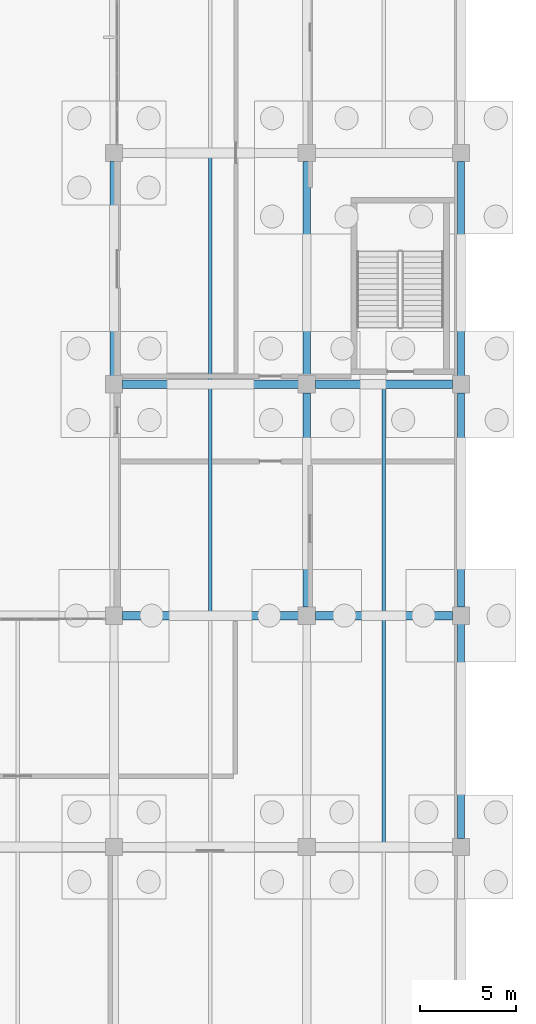
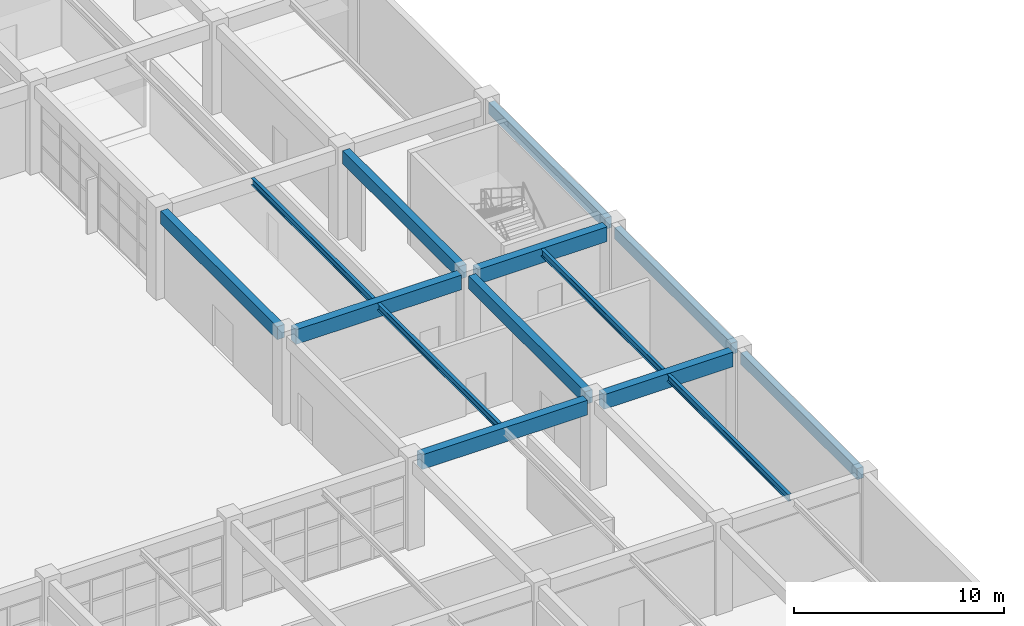
# One storey, part 58 of 99: 14 beams.
"""IFC4 building model written with IfcOpenShell, lengths in metres."""

from ifc_helpers import new_model, si_unit, direction, frame, origin, origin_2d, place, context, subcontext, project, spatial, rectangle, i_section, extrude, material, material_profile, profile_set, type_object, element, save


model = new_model("IFC4")

# Units and contexts
model_context = context("Model", 3, precision=1e-05, world=origin(), true_north=direction((0.0, 1.0)))
body_context = subcontext(model_context, "Body", "Model", "MODEL_VIEW")
ifc_project = project(units=[si_unit("LENGTHUNIT", "METRE"), si_unit("AREAUNIT", "SQUARE_METRE"), si_unit("VOLUMEUNIT", "CUBIC_METRE"), si_unit("PLANEANGLEUNIT", "RADIAN"), si_unit("MASSUNIT", "GRAM", prefix="KILO")], contexts=[model_context])

# Site, building, storey
site_placement = place(None, origin())
site = spatial("IfcSite", under=ifc_project, at=site_placement, CompositionType="ELEMENT")
building_placement = place(site_placement, origin())
building = spatial("IfcBuilding", under=site, at=building_placement, Name="Kivolera Central Railway Station", CompositionType="ELEMENT")
storey_placement = place(building_placement, origin())
storey = spatial("IfcBuildingStorey", under=building, at=storey_placement, Name="L00", CompositionType="ELEMENT", Elevation=0.0)

# Beams
ifc_material_1 = material(Name="Steel S355", Category="steel")
ifc_material_profile_1 = material_profile(ifc_material_1, i_section(OverallWidth=0.179931640625, OverallDepth=0.39990234375, WebThickness=0.008544921875, FlangeThickness=0.013427734375, FilletRadius=0.02099609375, at=origin_2d()), Name="IPE 400")
ifc_profile_set_1 = profile_set([ifc_material_profile_1], Name="Steel S355")
beam_type_1 = type_object("IfcBeamType", Name="BM-JST-IPE400", PredefinedType="JOIST", material=ifc_profile_set_1)
for number, where, z_axis, x_axis, name in (
    (1, (183.0, 78.217041015625, 4.907958984375), (0.0, 1.0, 0.0), (-1.0, 0.0, 0.0), "L00 Floor Joist 18-19/G-H"),
    (2, (183.0, 90.217041015625, 4.907958984375), (0.0, 1.0, 0.0), (-1.0, 0.0, 0.0), "L00 Floor Joist 18-19/H-J"),
    (3, (192.0, 66.217041015625, 4.907958984375), (0.0, 1.0, 0.0), (-1.0, 0.0, 0.0), "L00 Floor Joist 19-20/F-G"),
    (4, (192.0, 78.217041015625, 4.907958984375), (0.0, 1.0, 0.0), (-1.0, 0.0, 0.0), "L00 Floor Joist 19-20/G-H"),
):
    element("IfcBeam", number, at=place(storey_placement, frame(where, z_axis=z_axis, x_axis=x_axis)), inside=storey, type_object=beam_type_1, Name=name, PredefinedType="JOIST", context=body_context, shape_type="SweptSolid", body=[
        extrude(i_section(OverallWidth=0.179931640625, OverallDepth=0.39990234375, WebThickness=0.008544921875, FlangeThickness=0.013427734375, FilletRadius=0.02099609375, at=origin_2d()), origin(), (0.0, 0.0, 1.0), 11.56591796875),
    ])
ifc_material_2 = material(Name="Concrete C40/50", Category="concrete")
ifc_material_profile_2 = material_profile(ifc_material_2, rectangle(XDim=0.39990234375, YDim=0.75, at=origin_2d()), Name="RC 400x750")
ifc_profile_set_2 = profile_set([ifc_material_profile_2], Name="Concrete C40/50")
beam_type_2 = type_object("IfcBeamType", Name="BM-RC-400x750", PredefinedType="BEAM", material=ifc_profile_set_2)
for number, where, z_axis, x_axis, name in (
    (5, (178.0, 90.44189453125, 4.7451171875), (0.0, 1.0, 0.0), (-1.0, 0.0, 0.0), "L00 Wing Y-Beam 18:H-J"),
    (6, (188.0, 78.44189453125, 4.7451171875), (0.0, 1.0, 0.0), (-1.0, 0.0, 0.0), "L00 Wing Y-Beam 19:G-H"),
    (7, (188.0, 90.44189453125, 4.7451171875), (0.0, 1.0, 0.0), (-1.0, 0.0, 0.0), "L00 Wing Y-Beam 19:H-J"),
):
    element("IfcBeam", number, at=place(storey_placement, frame(where, z_axis=z_axis, x_axis=x_axis)), inside=storey, type_object=beam_type_2, Name=name, PredefinedType="BEAM", context=body_context, shape_type="SweptSolid", body=[
        extrude(rectangle(XDim=0.39990234375, YDim=0.75, at=origin_2d()), origin(), (0.0, 0.0, 1.0), 11.1162109375),
    ])
ifc_material_profile_3 = material_profile(ifc_material_2, rectangle(XDim=0.449951171875, YDim=0.85009765625, at=origin_2d()), Name="RC 450x850")
ifc_profile_set_3 = profile_set([ifc_material_profile_3], Name="Concrete C40/50")
beam_type_3 = type_object("IfcBeamType", Name="BM-RC-450x850", PredefinedType="BEAM", material=ifc_profile_set_3)
beam_1_placement = place(storey_placement, frame((178.44189453125, 78.0, 4.695068359375), z_axis=(1.0, 0.0, 0.0), x_axis=(0.0, 1.0, 0.0)))
element("IfcBeam", 8, at=beam_1_placement, inside=storey, type_object=beam_type_3, Name="L00 Wing X-Beam G:18-19", PredefinedType="BEAM", context=body_context, shape_type="SweptSolid", body=[
    extrude(rectangle(XDim=0.449951171875, YDim=0.85009765625, at=origin_2d()), origin(), (0.0, 0.0, 1.0), 9.1162109375),
])
beam_2_placement = place(storey_placement, frame((188.44189453125, 78.0, 4.695068359375), z_axis=(1.0, 0.0, 0.0), x_axis=(0.0, 1.0, 0.0)))
element("IfcBeam", 9, at=beam_2_placement, inside=storey, type_object=beam_type_3, Name="L00 Wing X-Beam G:19-20", PredefinedType="BEAM", context=body_context, shape_type="SweptSolid", body=[
    extrude(rectangle(XDim=0.449951171875, YDim=0.85009765625, at=origin_2d()), origin(), (0.0, 0.0, 1.0), 7.1162109375),
])
beam_3_placement = place(storey_placement, frame((178.44189453125, 90.0, 4.695068359375), z_axis=(1.0, 0.0, 0.0), x_axis=(0.0, 1.0, 0.0)))
element("IfcBeam", 10, at=beam_3_placement, inside=storey, type_object=beam_type_3, Name="L00 Wing X-Beam H:18-19", PredefinedType="BEAM", context=body_context, shape_type="SweptSolid", body=[
    extrude(rectangle(XDim=0.449951171875, YDim=0.85009765625, at=origin_2d()), origin(), (0.0, 0.0, 1.0), 9.1162109375),
])
beam_4_placement = place(storey_placement, frame((188.44189453125, 90.0, 4.695068359375), z_axis=(1.0, 0.0, 0.0), x_axis=(0.0, 1.0, 0.0)))
element("IfcBeam", 11, at=beam_4_placement, inside=storey, type_object=beam_type_3, Name="L00 Wing X-Beam H:19-20", PredefinedType="BEAM", context=body_context, shape_type="SweptSolid", body=[
    extrude(rectangle(XDim=0.449951171875, YDim=0.85009765625, at=origin_2d()), origin(), (0.0, 0.0, 1.0), 7.1162109375),
])
ifc_material_profile_4 = material_profile(ifc_material_2, rectangle(XDim=0.35009765625, YDim=0.64990234375, at=origin_2d()), Name="RC 350x650")
ifc_profile_set_4 = profile_set([ifc_material_profile_4], Name="Concrete C40/50")
beam_type_4 = type_object("IfcBeamType", Name="BM-SPN-RC650", PredefinedType="SPANDREL", material=ifc_profile_set_4)
for number, where, z_axis, x_axis, name in (
    (12, (196.0, 66.44189453125, 4.794921875), (0.0, 1.0, 0.0), (-1.0, 0.0, 0.0), "L00 Wing Y-Beam 20:F-G"),
    (13, (196.0, 78.44189453125, 4.794921875), (0.0, 1.0, 0.0), (-1.0, 0.0, 0.0), "L00 Wing Y-Beam 20:G-H"),
    (14, (196.0, 90.44189453125, 4.794921875), (0.0, 1.0, 0.0), (-1.0, 0.0, 0.0), "L00 Wing Y-Beam 20:H-J"),
):
    element("IfcBeam", number, at=place(storey_placement, frame(where, z_axis=z_axis, x_axis=x_axis)), inside=storey, type_object=beam_type_4, Name=name, PredefinedType="SPANDREL", context=body_context, shape_type="SweptSolid", body=[
        extrude(rectangle(XDim=0.35009765625, YDim=0.64990234375, at=origin_2d()), origin(), (0.0, 0.0, 1.0), 11.1162109375),
    ])

save(model, "model.ifc")
